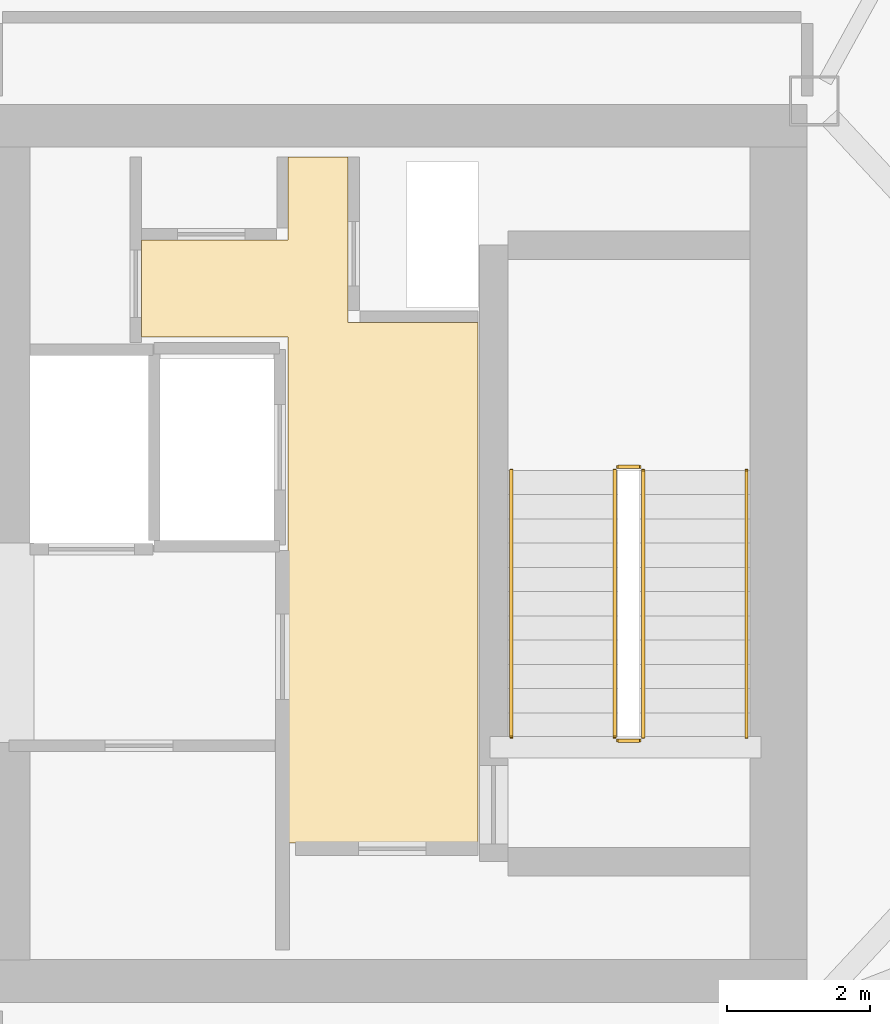
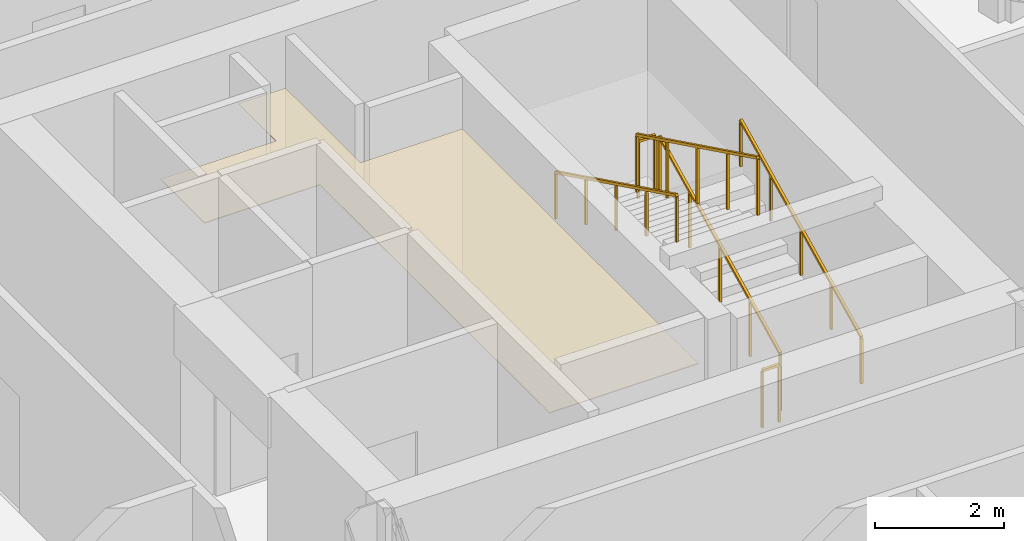
# One storey, part 24 of 24: 6 railings, 1 covering.
"""IFC4 building model written with IfcOpenShell, lengths in metres."""

import ifcopenshell
import ifcopenshell.guid

model = None  # the IFC model being written
_history = None  # IfcOwnerHistory: only IFC2X3 demands one
_inside = {}  # id of a spatial element -> (the spatial element, [elements in it])
_under = {}  # id of a project, library or spatial element -> (it, [spatial elements below it])
_declared = {}  # id of a project -> (the project, [libraries it declares])
_typed = {}  # id of a type object -> (the type object, [elements of that type])
_made_of = {}  # id of a material, layer set ... -> (it, [elements and type objects made of it])


def new_model(schema):
    """Start an empty IFC model of exactly this schema.

    Asked for "IFC4X3", IfcOpenShell would pick the latest addendum, in which some entities
    have other attributes; the version numbers below select the first issue.
    IFC2X3 requires an IfcOwnerHistory on every rooted entity: one is made here for all.
    """
    global model, _history
    if schema == "IFC4X3":
        model = ifcopenshell.file(schema_version=(4, 3, 0, 0))
    else:
        model = ifcopenshell.file(schema=schema)
    _inside.clear()
    _under.clear()
    _declared.clear()
    _typed.clear()
    _made_of.clear()
    _history = None
    if model.schema == "IFC2X3":
        org = make("IfcOrganization", Name="unknown")
        user = make(
            "IfcPersonAndOrganization",
            ThePerson=make("IfcPerson", FamilyName="unknown"),
            TheOrganization=org,
        )
        app = make(
            "IfcApplication",
            ApplicationDeveloper=org,
            Version="unknown",
            ApplicationFullName="unknown",
            ApplicationIdentifier="unknown",
        )
        _history = make(
            "IfcOwnerHistory",
            OwningUser=user,
            OwningApplication=app,
            ChangeAction="ADDED",
            CreationDate=0,
        )
    return model


def make(cls, **values):
    """One entity of the class cls with the attributes given. An attribute that is None is left unset."""
    return model.create_entity(
        cls, **{name: value for name, value in values.items() if value is not None}
    )


def rooted(cls, **values):
    """An entity with a GlobalId (a new one), such as an element, a storey or a relation."""
    return make(cls, GlobalId=ifcopenshell.guid.new(), OwnerHistory=_history, **values)


def si_unit(unit_type, name, prefix=None):
    """IfcSIUnit, for example si_unit("LENGTHUNIT", "METRE", prefix="MILLI")."""
    return make("IfcSIUnit", UnitType=unit_type, Prefix=prefix, Name=name)


def assignment(units):
    """IfcUnitAssignment: the units of a project."""
    return None if units is None else make("IfcUnitAssignment", Units=units)


def point(xyz):
    """IfcCartesianPoint."""
    return None if xyz is None else make("IfcCartesianPoint", Coordinates=xyz)


def direction(xyz):
    """IfcDirection."""
    return None if xyz is None else make("IfcDirection", DirectionRatios=xyz)


def frame(location, z_axis=None, x_axis=None):
    """IfcAxis2Placement3D, a coordinate frame: its origin and axes. An axis left out is left unset."""
    return make(
        "IfcAxis2Placement3D",
        Location=point(location),
        Axis=direction(z_axis),
        RefDirection=direction(x_axis),
    )


def frame_2d(location, x_axis=None):
    """IfcAxis2Placement2D, a coordinate frame in the plane: its origin and x axis."""
    return make(
        "IfcAxis2Placement2D", Location=point(location), RefDirection=direction(x_axis)
    )


def origin():
    """The frame at (0, 0, 0) with its axes left unset."""
    return frame((0.0, 0.0, 0.0))


def origin_2d():
    """The frame at (0, 0) in the plane with its x axis left unset."""
    return frame_2d((0.0, 0.0))


def place(relative_to, where):
    """IfcLocalPlacement: puts the frame where relative to a parent placement (None: the world)."""
    return make(
        "IfcLocalPlacement", PlacementRelTo=relative_to, RelativePlacement=where
    )


def context(
    kind, dimensions, precision=None, world=None, true_north=None, identifier=None
):
    """IfcGeometricRepresentationContext, for example the 3D "Model" context."""
    return make(
        "IfcGeometricRepresentationContext",
        ContextIdentifier=identifier,
        ContextType=kind,
        CoordinateSpaceDimension=dimensions,
        Precision=precision,
        WorldCoordinateSystem=world,
        TrueNorth=true_north,
    )


def subcontext(parent, identifier, kind, view, scale=None):
    """IfcGeometricRepresentationSubContext, for example "Body" below "Model"."""
    return make(
        "IfcGeometricRepresentationSubContext",
        ContextIdentifier=identifier,
        ContextType=kind,
        ParentContext=parent,
        TargetScale=scale,
        TargetView=view,
    )


def project(units=None, contexts=None):
    """IfcProject with its units and contexts."""
    return rooted(
        "IfcProject",
        Name="project",
        RepresentationContexts=contexts,
        UnitsInContext=assignment(units),
    )


def spatial(cls, under=None, at=None, **own):
    """A site, building, storey or space (cls), placed at a placement, below another one or the project."""
    s = rooted(cls, ObjectPlacement=at, **own)
    if under is not None:
        _under.setdefault(under.id(), (under, []))[1].append(s)
    return s


def polyline(points):
    """IfcPolyline through the points."""
    return make("IfcPolyline", Points=[point(p) for p in points])


def profile(cls, at=None, kind="AREA", **sizes):
    """A parametric profile (cls). Its sizes go by their IFC names, for example OverallWidth=200.0."""
    return make(cls, ProfileType=kind, Position=at, **sizes)


def rectangle(**sizes):
    """IfcRectangleProfileDef."""
    return profile("IfcRectangleProfileDef", **sizes)


def outline(outer, holes=None, kind="AREA"):
    """IfcArbitraryClosedProfileDef: a profile drawn as a closed curve; with holes, ...WithVoids."""
    if holes is None:
        return make("IfcArbitraryClosedProfileDef", ProfileType=kind, OuterCurve=outer)
    return make(
        "IfcArbitraryProfileDefWithVoids",
        ProfileType=kind,
        OuterCurve=outer,
        InnerCurves=holes,
    )


def extrude(swept, where, along, depth):
    """IfcExtrudedAreaSolid: the profile swept, set in the frame where, extruded along a direction by depth."""
    return make(
        "IfcExtrudedAreaSolid",
        SweptArea=swept,
        Position=where,
        ExtrudedDirection=direction(along),
        Depth=depth,
    )


def shape(context_of_items, identifier, shape_type, items):
    """IfcShapeRepresentation: the items that make up one representation, for example the "Body"."""
    return make(
        "IfcShapeRepresentation",
        ContextOfItems=context_of_items,
        RepresentationIdentifier=identifier,
        RepresentationType=shape_type,
        Items=items,
    )


def material(Name=None, Category=None):
    """IfcMaterial."""
    return make("IfcMaterial", Name=Name, Category=Category)


def layer(
    of_material, thickness, ventilated=None, Name=None, Category=None, Priority=None
):
    """IfcMaterialLayer: one layer of a wall or slab, of a material (None: an air gap)."""
    return make(
        "IfcMaterialLayer",
        Material=of_material,
        LayerThickness=thickness,
        IsVentilated=ventilated,
        Name=Name,
        Category=Category,
        Priority=Priority,
    )


def layer_set(layers, Name=None):
    """IfcMaterialLayerSet."""
    return make("IfcMaterialLayerSet", MaterialLayers=layers, LayerSetName=Name)


def made_of(thing, what):
    """Note that an element or type object is made of a material, layer set ...; save() writes the relation."""
    if what is not None:
        _made_of.setdefault(what.id(), (what, []))[1].append(thing)
    return thing


def type_object(cls, material=None, **own):
    """A type object (cls), such as IfcWallType, which elements share."""
    return made_of(rooted(cls, **own), material)


def element(
    cls,
    number,
    at=None,
    inside=None,
    cuts=None,
    type_object=None,
    material=None,
    context=None,
    identifier="Body",
    shape_type=None,
    held_by="IfcProductDefinitionShape",
    body=None,
    shapes=None,
    **own,
):
    """One element of the class cls, such as IfcWall. Its Tag is "e" and its number.

    at: its placement. inside: the storey or other place that contains it. cuts: it is an
    opening in that element (IfcRelVoidsElement). A single representation is given by context,
    identifier, shape_type and body (its items); several are given by shapes. held_by: the class
    of the entity that holds the representations. save() writes the other relations.
    """
    e = rooted(cls, Tag="e%d" % number, ObjectPlacement=at, **own)
    if body is not None:
        shapes = [shape(context, identifier, shape_type, body)]
    if shapes is not None:
        e.Representation = make(held_by, Representations=shapes)
    if inside is not None:
        _inside.setdefault(inside.id(), (inside, []))[1].append(e)
    if cuts is not None:
        rooted(
            "IfcRelVoidsElement", RelatingBuildingElement=cuts, RelatedOpeningElement=e
        )
    if type_object is not None:
        _typed.setdefault(type_object.id(), (type_object, []))[1].append(e)
    return made_of(e, material)


def aggregate(whole, parts):
    """IfcRelAggregates: a whole, such as a stair, and the parts it consists of."""
    return rooted("IfcRelAggregates", RelatingObject=whole, RelatedObjects=parts)


def save(model, path):
    """Write the relations noted so far, then the file.

    IfcRelAggregates (storeys below a building ...), IfcRelContainedInSpatialStructure (elements
    in a storey), IfcRelDefinesByType, IfcRelAssociatesMaterial and IfcRelDeclares: one each for
    every whole, place, type object, material and project.
    """
    for whole, parts in _under.values():
        aggregate(whole, parts)
    for where, things in _inside.values():
        rooted(
            "IfcRelContainedInSpatialStructure",
            RelatedElements=things,
            RelatingStructure=where,
        )
    for kind, things in _typed.values():
        rooted("IfcRelDefinesByType", RelatedObjects=things, RelatingType=kind)
    for what, things in _made_of.values():
        rooted("IfcRelAssociatesMaterial", RelatedObjects=things, RelatingMaterial=what)
    for by, libraries in _declared.values():
        rooted("IfcRelDeclares", RelatingContext=by, RelatedDefinitions=libraries)
    model.write(path)


model = new_model("IFC4")

# Units and contexts
model_context = context("Model", 3, precision=1e-05, world=origin(), true_north=direction((0.0, 1.0)))
body_context = subcontext(model_context, "Body", "Model", "MODEL_VIEW")
ifc_project = project(units=[si_unit("LENGTHUNIT", "METRE"), si_unit("AREAUNIT", "SQUARE_METRE"), si_unit("VOLUMEUNIT", "CUBIC_METRE"), si_unit("PLANEANGLEUNIT", "RADIAN"), si_unit("MASSUNIT", "GRAM", prefix="KILO")], contexts=[model_context])

# Site, building, storey
site_placement = place(None, origin())
site = spatial("IfcSite", under=ifc_project, at=site_placement, CompositionType="ELEMENT")
building_placement = place(site_placement, origin())
building = spatial("IfcBuilding", under=site, at=building_placement, Name="Tavrogorsk Clinical Tower", CompositionType="ELEMENT")
storey_placement = place(building_placement, frame((0.0, 0.0, 325.0)))
storey = spatial("IfcBuildingStorey", under=building, at=storey_placement, Name="L76", CompositionType="ELEMENT", Elevation=325.0)

# Covering
ifc_material_1 = material(Name="Antibacterial micro-perforated aluminium ceiling", Category="aluminium")
ifc_layer_1 = layer(ifc_material_1, 0.014892578125)
ifc_layer_set_1 = layer_set([ifc_layer_1], Name="Antibacterial micro-perforated aluminium ceiling")
covering_type = type_object("IfcCoveringType", Name="ClinicalCeiling_15", PredefinedType="CEILING", material=ifc_layer_set_1)
covering_placement = place(storey_placement, frame((0.0, 0.0, 2.75)))
element("IfcCovering", 1, at=covering_placement, inside=storey, type_object=covering_type, Name="Core East Firefighting Lift Lobby Acoustic Ceiling", PredefinedType="CEILING", context=body_context, shape_type="SweptSolid", body=[
    extrude(outline(polyline([(14.719970703125, 3.0400390625), (12.659912109375, 3.0400390625), (12.659912109375, 4.39990234375), (14.719970703125, 4.39990234375), (14.719970703125, 5.56005859375), (15.56005859375, 5.56005859375), (15.56005859375, 3.239990234375), (17.3798828125, 3.239990234375), (17.3798828125, -4.06005859375), (14.719970703125, -4.06005859375), (14.719970703125, 3.0400390625)])), origin(), (0.0, 0.0, 1.0), 0.014892578125),
])

# Railings
ifc_material_2 = material(Name="Galvanised steel S355 safety stairwell guard", Category="steel")
ifc_layer_2 = layer(ifc_material_2, 0.06005859375)
ifc_layer_set_2 = layer_set([ifc_layer_2], Name="Galvanised steel S355 safety stairwell guard")
railing_type_1 = type_object("IfcRailingType", Name="StairGuard_1150", PredefinedType="GUARDRAIL", material=ifc_layer_set_2)
railing_1_placement = place(storey_placement, frame((19.699951171875, -2.574951171875, 0.166748046875)))
element("IfcRailing", 2, at=railing_1_placement, inside=storey, type_object=railing_type_1, Name="L76 ST-E stair guard 1", PredefinedType="GUARDRAIL", context=body_context, shape_type="SweptSolid", body=[
    extrude(rectangle(XDim=0.048095703125, YDim=0.048095703125, at=origin_2d()), frame((0.0, 0.0, 1.076171875), z_axis=(0.0, 0.897927990467, 0.440142390523), x_axis=(-1.0, 0.0, 0.0)), (0.0, 0.0, 1.0), 4.1650390625),
    extrude(rectangle(XDim=0.0419921875, YDim=0.0419921875, at=origin_2d()), origin(), (0.0, 0.0, 1.0), 1.052001953125),
    extrude(rectangle(XDim=0.0419921875, YDim=0.0419921875, at=origin_2d()), frame((0.0, 0.93505859375, 0.458251953125)), (0.0, 0.0, 1.0), 1.052001953125),
    extrude(rectangle(XDim=0.0419921875, YDim=0.0419921875, at=origin_2d()), frame((0.0, 1.8701171875, 0.91650390625)), (0.0, 0.0, 1.0), 1.052001953125),
    extrude(rectangle(XDim=0.0419921875, YDim=0.0419921875, at=origin_2d()), frame((0.0, 2.804931640625, 1.375)), (0.0, 0.0, 1.0), 1.052001953125),
    extrude(rectangle(XDim=0.0419921875, YDim=0.0419921875, at=origin_2d()), frame((0.0, 3.739990234375, 1.833251953125)), (0.0, 0.0, 1.0), 1.052001953125),
])
railing_2_placement = place(storey_placement, frame((19.64990234375, 1.215087890625, 2.0)))
element("IfcRailing", 3, at=railing_2_placement, inside=storey, type_object=railing_type_1, Name="L76 ST-E stair guard 2", PredefinedType="GUARDRAIL", context=body_context, shape_type="SweptSolid", body=[
    extrude(rectangle(XDim=0.048095703125, YDim=0.048095703125, at=origin_2d()), frame((0.0, 0.0, 1.076171875), z_axis=(-1.0, 0.0, 0.0), x_axis=(0.0, -1.0, 0.0)), (0.0, 0.0, 1.0), 0.2998046875),
    extrude(rectangle(XDim=0.0419921875, YDim=0.0419921875, at=origin_2d()), origin(), (0.0, 0.0, 1.0), 1.052001953125),
    extrude(rectangle(XDim=0.0419921875, YDim=0.0419921875, at=origin_2d()), frame((-0.2998046875, 0.0, 0.0)), (0.0, 0.0, 1.0), 1.052001953125),
])
railing_3_placement = place(storey_placement, frame((19.300048828125, 1.1650390625, 2.166748046875)))
element("IfcRailing", 4, at=railing_3_placement, inside=storey, type_object=railing_type_1, Name="L76 ST-E stair guard 3", PredefinedType="GUARDRAIL", context=body_context, shape_type="SweptSolid", body=[
    extrude(rectangle(XDim=0.048095703125, YDim=0.048095703125, at=origin_2d()), frame((0.0, 0.0, 1.076171875), z_axis=(0.0, -0.897927990467, 0.440142390523), x_axis=(1.0, 0.0, 0.0)), (0.0, 0.0, 1.0), 4.1650390625),
    extrude(rectangle(XDim=0.0419921875, YDim=0.0419921875, at=origin_2d()), origin(), (0.0, 0.0, 1.0), 1.052001953125),
    extrude(rectangle(XDim=0.0419921875, YDim=0.0419921875, at=origin_2d()), frame((0.0, -0.93505859375, 0.458251953125)), (0.0, 0.0, 1.0), 1.052001953125),
    extrude(rectangle(XDim=0.0419921875, YDim=0.0419921875, at=origin_2d()), frame((0.0, -1.8701171875, 0.91650390625)), (0.0, 0.0, 1.0), 1.052001953125),
    extrude(rectangle(XDim=0.0419921875, YDim=0.0419921875, at=origin_2d()), frame((0.0, -2.804931640625, 1.375)), (0.0, 0.0, 1.0), 1.052001953125),
    extrude(rectangle(XDim=0.0419921875, YDim=0.0419921875, at=origin_2d()), frame((0.0, -3.739990234375, 1.833251953125)), (0.0, 0.0, 1.0), 1.052001953125),
])
railing_4_placement = place(storey_placement, frame((19.64990234375, -2.625, 0.0)))
element("IfcRailing", 5, at=railing_4_placement, inside=storey, type_object=railing_type_1, Name="L76 ST-E stair guard 4", PredefinedType="GUARDRAIL", context=body_context, shape_type="SweptSolid", body=[
    extrude(rectangle(XDim=0.048095703125, YDim=0.048095703125, at=origin_2d()), frame((0.0, 0.0, 1.076171875), z_axis=(-1.0, 0.0, 0.0), x_axis=(0.0, -1.0, 0.0)), (0.0, 0.0, 1.0), 0.2998046875),
    extrude(rectangle(XDim=0.0419921875, YDim=0.0419921875, at=origin_2d()), origin(), (0.0, 0.0, 1.0), 1.052001953125),
    extrude(rectangle(XDim=0.0419921875, YDim=0.0419921875, at=origin_2d()), frame((-0.2998046875, 0.0, 0.0)), (0.0, 0.0, 1.0), 1.052001953125),
])
ifc_material_3 = material(Name="Stainless steel AISI 304 tubular handrail", Category="steel")
ifc_layer_3 = layer(ifc_material_3, 0.050048828125)
ifc_layer_set_3 = layer_set([ifc_layer_3], Name="Stainless steel AISI 304 tubular handrail")
railing_type_2 = type_object("IfcRailingType", Name="StairHandrail_920", PredefinedType="HANDRAIL", material=ifc_layer_set_3)
railing_5_placement = place(storey_placement, frame((21.14990234375, -2.574951171875, 0.166748046875)))
element("IfcRailing", 6, at=railing_5_placement, inside=storey, type_object=railing_type_2, Name="L76 ST-E stair handrail 1", PredefinedType="HANDRAIL", context=body_context, shape_type="SweptSolid", body=[
    extrude(rectangle(XDim=0.048095703125, YDim=0.048095703125, at=origin_2d()), frame((0.0, 0.0, 0.8759765625), z_axis=(0.0, 0.897927990467, 0.440142390523), x_axis=(-1.0, 0.0, 0.0)), (0.0, 0.0, 1.0), 4.1650390625),
    extrude(rectangle(XDim=0.0419921875, YDim=0.0419921875, at=origin_2d()), origin(), (0.0, 0.0, 1.0), 0.851806640625),
    extrude(rectangle(XDim=0.0419921875, YDim=0.0419921875, at=origin_2d()), frame((0.0, 0.93505859375, 0.458251953125)), (0.0, 0.0, 1.0), 0.851806640625),
    extrude(rectangle(XDim=0.0419921875, YDim=0.0419921875, at=origin_2d()), frame((0.0, 1.8701171875, 0.91650390625)), (0.0, 0.0, 1.0), 0.851806640625),
    extrude(rectangle(XDim=0.0419921875, YDim=0.0419921875, at=origin_2d()), frame((0.0, 2.804931640625, 1.375)), (0.0, 0.0, 1.0), 0.851806640625),
    extrude(rectangle(XDim=0.0419921875, YDim=0.0419921875, at=origin_2d()), frame((0.0, 3.739990234375, 1.833251953125)), (0.0, 0.0, 1.0), 0.851806640625),
])
railing_6_placement = place(storey_placement, frame((17.85009765625, 1.1650390625, 2.166748046875)))
element("IfcRailing", 7, at=railing_6_placement, inside=storey, type_object=railing_type_2, Name="L76 ST-E stair handrail 2", PredefinedType="HANDRAIL", context=body_context, shape_type="SweptSolid", body=[
    extrude(rectangle(XDim=0.048095703125, YDim=0.048095703125, at=origin_2d()), frame((0.0, 0.0, 0.8759765625), z_axis=(0.0, -0.897927990467, 0.440142390523), x_axis=(1.0, 0.0, 0.0)), (0.0, 0.0, 1.0), 4.1650390625),
    extrude(rectangle(XDim=0.0419921875, YDim=0.0419921875, at=origin_2d()), origin(), (0.0, 0.0, 1.0), 0.851806640625),
    extrude(rectangle(XDim=0.0419921875, YDim=0.0419921875, at=origin_2d()), frame((0.0, -0.93505859375, 0.458251953125)), (0.0, 0.0, 1.0), 0.851806640625),
    extrude(rectangle(XDim=0.0419921875, YDim=0.0419921875, at=origin_2d()), frame((0.0, -1.8701171875, 0.91650390625)), (0.0, 0.0, 1.0), 0.851806640625),
    extrude(rectangle(XDim=0.0419921875, YDim=0.0419921875, at=origin_2d()), frame((0.0, -2.804931640625, 1.375)), (0.0, 0.0, 1.0), 0.851806640625),
    extrude(rectangle(XDim=0.0419921875, YDim=0.0419921875, at=origin_2d()), frame((0.0, -3.739990234375, 1.833251953125)), (0.0, 0.0, 1.0), 0.851806640625),
])

save(model, "model.ifc")
